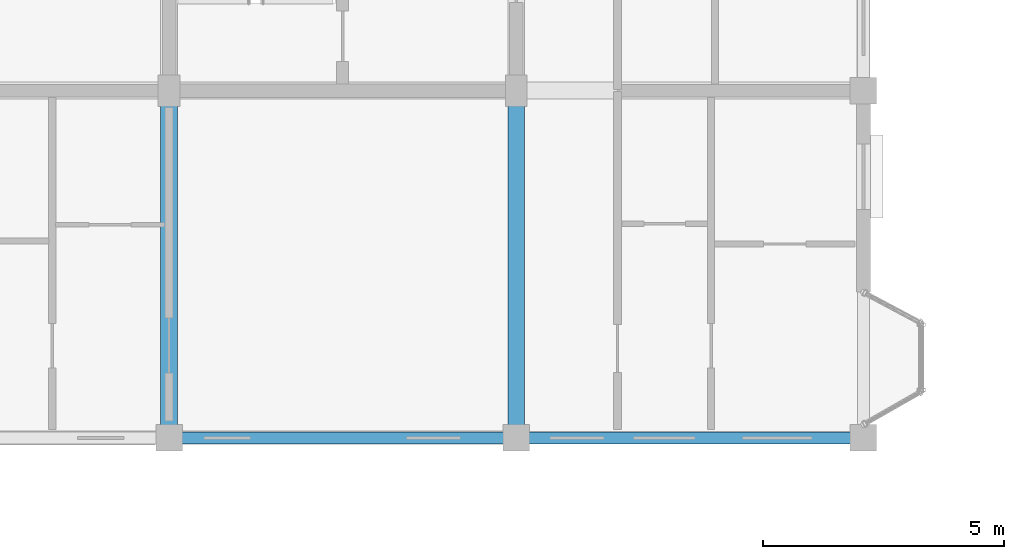
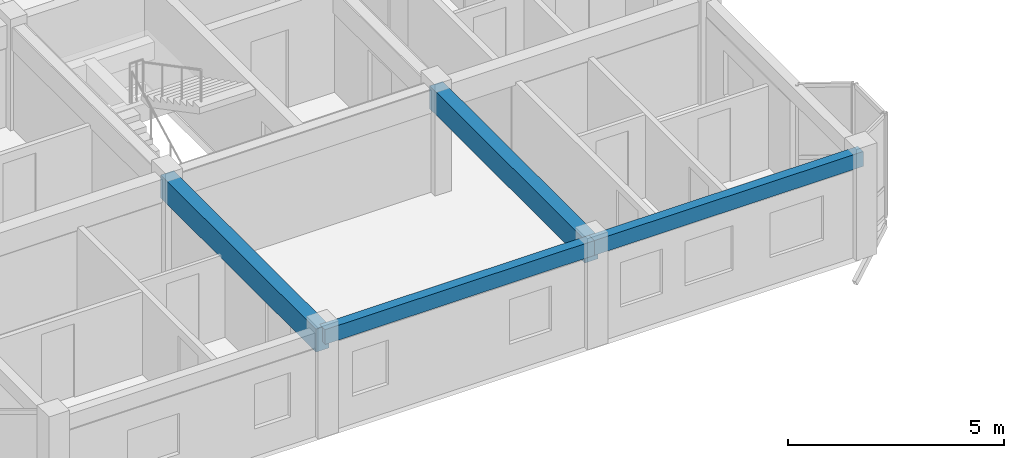
# One storey, part 14 of 77: 4 beams.
"""IFC4 building model written with IfcOpenShell, lengths in metres."""

from ifc_helpers import new_model, si_unit, direction, frame, origin, origin_2d, place, context, subcontext, project, spatial, rectangle, extrude, material, material_profile, profile_set, type_object, element, save


model = new_model("IFC4")

# Units and contexts
model_context = context("Model", 3, precision=1e-05, world=origin(), true_north=direction((0.0, 1.0)))
body_context = subcontext(model_context, "Body", "Model", "MODEL_VIEW")
ifc_project = project(units=[si_unit("LENGTHUNIT", "METRE"), si_unit("AREAUNIT", "SQUARE_METRE"), si_unit("VOLUMEUNIT", "CUBIC_METRE"), si_unit("PLANEANGLEUNIT", "RADIAN"), si_unit("MASSUNIT", "GRAM", prefix="KILO"), si_unit("THERMODYNAMICTEMPERATUREUNIT", "KELVIN"), si_unit("POWERUNIT", "WATT")], contexts=[model_context])

# Site, building, storey
site_placement = place(None, origin())
site = spatial("IfcSite", under=ifc_project, at=site_placement, CompositionType="ELEMENT")
building_placement = place(site_placement, origin())
building = spatial("IfcBuilding", under=site, at=building_placement, Name="Tavuni Mirador Residences", CompositionType="ELEMENT")
storey_placement = place(building_placement, frame((0.0, 0.0, 10.800048828125)))
storey = spatial("IfcBuildingStorey", under=building, at=storey_placement, Name="L03", CompositionType="ELEMENT", Elevation=10.800048828125)

# Beams
ifc_material = material(Name="Precast concrete C40/50", Category="concrete")
ifc_material_profile_1 = material_profile(ifc_material, rectangle(XDim=0.35009765625, YDim=0.64990234375, at=origin_2d()), Name="PC 350x650", Category="concrete")
ifc_profile_set_1 = profile_set([ifc_material_profile_1], Name="Precast concrete C40/50")
beam_type_1 = type_object("IfcBeamType", Name="BT-B650", PredefinedType="BEAM", material=ifc_profile_set_1)
for number, where, z_axis, x_axis, name in (
    (1, (10.800048828125, 64.800048828125, 2.5849609375), (0.0, 1.0, 0.0), (-1.0, 0.0, 0.0), "BMY-BLK-B-L03-01-00"),
    (2, (18.0, 64.800048828125, 2.5849609375), (0.0, 1.0, 0.0), (-1.0, 0.0, 0.0), "BMY-BLK-B-L03-02-00"),
):
    element("IfcBeam", number, at=place(storey_placement, frame(where, z_axis=z_axis, x_axis=x_axis)), inside=storey, type_object=beam_type_1, Name=name, PredefinedType="BEAM", context=body_context, shape_type="SweptSolid", body=[
        extrude(rectangle(XDim=0.35009765625, YDim=0.64990234375, at=origin_2d()), origin(), (0.0, 0.0, 1.0), 7.199951171875),
    ])
ifc_material_profile_2 = material_profile(ifc_material, rectangle(XDim=0.25, YDim=0.419921875, at=origin_2d()), Name="PC 250x420", Category="concrete")
ifc_profile_set_2 = profile_set([ifc_material_profile_2], Name="Precast concrete C40/50")
beam_type_2 = type_object("IfcBeamType", Name="BT-SP420", PredefinedType="SPANDREL", material=ifc_profile_set_2)
for number, where, z_axis, x_axis, name in (
    (3, (10.800048828125, 64.800048828125, 2.699951171875), (1.0, 0.0, 0.0), (0.0, 1.0, 0.0), "BMX-BLK-B-L03-01-00"),
    (4, (18.0, 64.800048828125, 2.699951171875), (1.0, 0.0, 0.0), (0.0, 1.0, 0.0), "BMX-BLK-B-L03-02-00"),
):
    element("IfcBeam", number, at=place(storey_placement, frame(where, z_axis=z_axis, x_axis=x_axis)), inside=storey, type_object=beam_type_2, Name=name, PredefinedType="SPANDREL", context=body_context, shape_type="SweptSolid", body=[
        extrude(rectangle(XDim=0.25, YDim=0.419921875, at=origin_2d()), origin(), (0.0, 0.0, 1.0), 7.199951171875),
    ])

save(model, "model.ifc")
